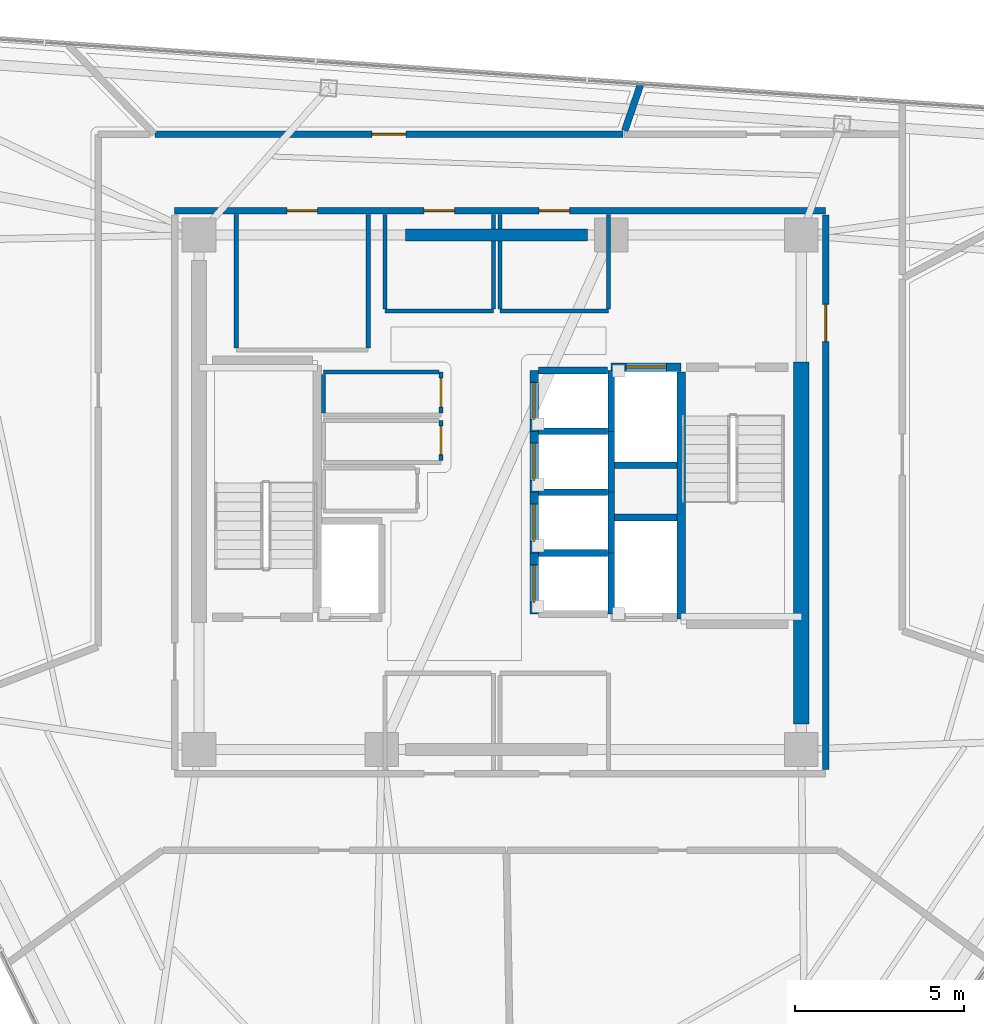
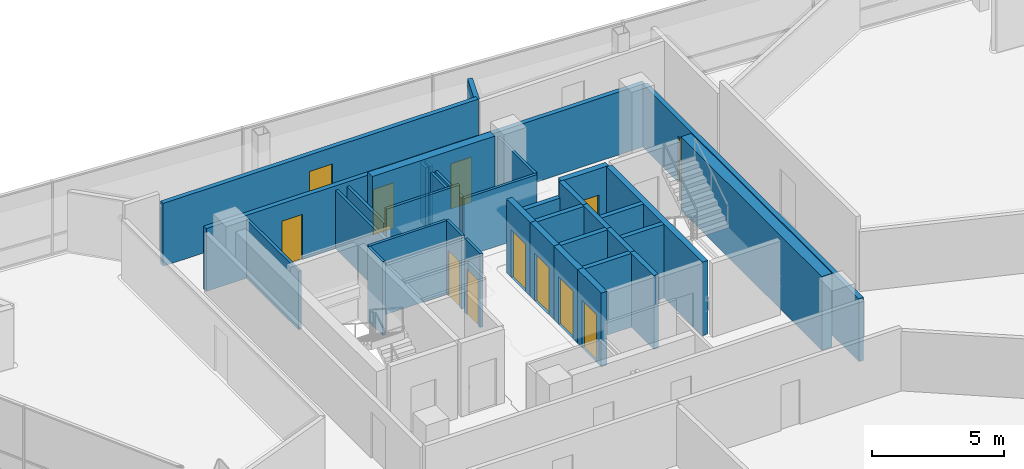
# One storey, part 10 of 14: 36 walls, 12 doors, 12 openings.
"""IFC4 building model written with IfcOpenShell, lengths in metres."""

from ifc_helpers import new_model, si_unit, direction, frame, frame_2d, origin, place, context, subcontext, project, spatial, rectangle, extrude, material, layer, layer_set, type_object, element, fill, save


model = new_model("IFC4")

# Units and contexts
model_context = context("Model", 3, precision=1e-05, world=origin(), true_north=direction((0.0, 1.0)))
body_context = subcontext(model_context, "Body", "Model", "MODEL_VIEW")
ifc_project = project(units=[si_unit("LENGTHUNIT", "METRE"), si_unit("AREAUNIT", "SQUARE_METRE"), si_unit("VOLUMEUNIT", "CUBIC_METRE"), si_unit("PLANEANGLEUNIT", "RADIAN"), si_unit("MASSUNIT", "GRAM", prefix="KILO")], contexts=[model_context])

# Site, building, storey
site_placement = place(None, origin())
site = spatial("IfcSite", under=ifc_project, at=site_placement, CompositionType="ELEMENT")
building_placement = place(site_placement, origin())
building = spatial("IfcBuilding", under=site, at=building_placement, Name="Tharavind Bronze Gate", CompositionType="ELEMENT")
storey_placement = place(building_placement, frame((0.0, 0.0, 241.449951171875)))
storey = spatial("IfcBuildingStorey", under=building, at=storey_placement, Name="L62", CompositionType="ELEMENT", Elevation=241.449951171875)

# Wall, openings, doors
ifc_material_1 = material(Name="Aerated Concrete Block", Category="concrete")
ifc_layer_1 = layer(ifc_material_1, 0.199951171875)
ifc_layer_set_1 = layer_set([ifc_layer_1], Name="Aerated Concrete Block")
wall_type_1 = type_object("IfcWallType", Name="FIRE RATED PARTITION 200", PredefinedType="PARTITIONING", material=ifc_layer_set_1)
wall_1_placement = place(storey_placement, frame((9.6201171875, 8.320068359375, 0.0), z_axis=(0.0, 0.0, 1.0), x_axis=(-1.0, 0.0, 0.0)))
wall_1 = element("IfcWall", 1, at=wall_1_placement, inside=storey, type_object=wall_type_1, Name="L62 north core corridor wall", PredefinedType="PARTITIONING", context=body_context, shape_type="SweptSolid", body=[
    extrude(rectangle(XDim=19.240234375, YDim=0.199951171875, at=frame_2d((9.6201171875, 0.0))), origin(), (0.0, 0.0, 1.0), 2.9150390625),
])
opening_1_placement = place(wall_1_placement, frame((10.969970703125, 0.0, 0.0)))
opening_1 = element("IfcOpeningElement", 2, at=opening_1_placement, cuts=wall_1, Name="Opening ID07", PredefinedType="OPENING", context=body_context, shape_type="SweptSolid", body=[
    extrude(rectangle(XDim=0.89990234375, YDim=2.10009765625, at=frame_2d((0.449951171875, 1.050048828125))), frame((0.0, 0.11009765625, 0.0), z_axis=(0.0, -1.0, 0.0), x_axis=(1.0, 0.0, 0.0)), (0.0, 0.0, 1.0), 0.219951171875),
])
opening_2_placement = place(wall_1_placement, frame((7.570068359375, 0.0, 0.0)))
opening_2 = element("IfcOpeningElement", 3, at=opening_2_placement, cuts=wall_1, Name="Opening ID07", PredefinedType="OPENING", context=body_context, shape_type="SweptSolid", body=[
    extrude(rectangle(XDim=0.89990234375, YDim=2.10009765625, at=frame_2d((0.449951171875, 1.050048828125))), frame((0.0, 0.11009765625, 0.0), z_axis=(0.0, -1.0, 0.0), x_axis=(1.0, 0.0, 0.0)), (0.0, 0.0, 1.0), 0.219951171875),
])
opening_3_placement = place(wall_1_placement, frame((15.02001953125, 0.0, 0.0)))
opening_3 = element("IfcOpeningElement", 4, at=opening_3_placement, cuts=wall_1, Name="Opening ID07", PredefinedType="OPENING", context=body_context, shape_type="SweptSolid", body=[
    extrude(rectangle(XDim=0.89990234375, YDim=2.10009765625, at=frame_2d((0.449951171875, 1.050048828125))), frame((0.0, 0.11009765625, 0.0), z_axis=(0.0, -1.0, 0.0), x_axis=(1.0, 0.0, 0.0)), (0.0, 0.0, 1.0), 0.219951171875),
])
ifc_material_2 = material(Name="Galvanised Fire Steel", Category="steel")
door_type_1 = type_object("IfcDoorType", Name="PLANT AND RISER FIRE DOOR 900X2100", OperationType="SINGLE_SWING_LEFT", PredefinedType="DOOR", material=ifc_material_2)
door_1_placement = place(opening_1_placement, frame((0.89990234375, 0.0, 0.0), z_axis=(0.0, 0.0, 1.0), x_axis=(-1.0, 0.0, 0.0)))
door_1 = element("IfcDoor", 5, at=door_1_placement, inside=storey, type_object=door_type_1, Name="L62 Core Telemetry Room fire door", OperationType="SINGLE_SWING_LEFT", OverallHeight=2.10009765625, OverallWidth=0.89990234375, PredefinedType="DOOR", context=body_context, shape_type="SweptSolid", body=[
    extrude(rectangle(XDim=0.89990234375, YDim=2.10009765625, at=frame_2d((0.449951171875, 1.050048828125))), frame((0.0, 0.02490234375, 0.0), z_axis=(0.0, -1.0, 0.0), x_axis=(1.0, 0.0, 0.0)), (0.0, 0.0, 1.0), 0.050048828125),
])
fill(opening_1, door_1)
door_2_placement = place(opening_2_placement, frame((0.89990234375, 0.0, 0.0), z_axis=(0.0, 0.0, 1.0), x_axis=(-1.0, 0.0, 0.0)))
door_2 = element("IfcDoor", 6, at=door_2_placement, inside=storey, type_object=door_type_1, Name="L62 Core Battery Room fire door", OperationType="SINGLE_SWING_LEFT", OverallHeight=2.10009765625, OverallWidth=0.89990234375, PredefinedType="DOOR", context=body_context, shape_type="SweptSolid", body=[
    extrude(rectangle(XDim=0.89990234375, YDim=2.10009765625, at=frame_2d((0.449951171875, 1.050048828125))), frame((0.0, 0.02490234375, 0.0), z_axis=(0.0, -1.0, 0.0), x_axis=(1.0, 0.0, 0.0)), (0.0, 0.0, 1.0), 0.050048828125),
])
fill(opening_2, door_2)
door_3_placement = place(opening_3_placement, frame((0.89990234375, 0.0, 0.0), z_axis=(0.0, 0.0, 1.0), x_axis=(-1.0, 0.0, 0.0)))
door_3 = element("IfcDoor", 7, at=door_3_placement, inside=storey, type_object=door_type_1, Name="L62 Electrical Switch Room fire door", OperationType="SINGLE_SWING_LEFT", OverallHeight=2.10009765625, OverallWidth=0.89990234375, PredefinedType="DOOR", context=body_context, shape_type="SweptSolid", body=[
    extrude(rectangle(XDim=0.89990234375, YDim=2.10009765625, at=frame_2d((0.449951171875, 1.050048828125))), frame((0.0, 0.02490234375, 0.0), z_axis=(0.0, -1.0, 0.0), x_axis=(1.0, 0.0, 0.0)), (0.0, 0.0, 1.0), 0.050048828125),
])
fill(opening_3, door_3)

# Wall, opening, door
wall_2_placement = place(storey_placement, frame((9.6201171875, -8.199951171875, 0.0), z_axis=(0.0, 0.0, 1.0), x_axis=(0.0, 1.0, 0.0)))
wall_2 = element("IfcWall", 8, at=wall_2_placement, inside=storey, type_object=wall_type_1, Name="L62 east core corridor wall", PredefinedType="PARTITIONING", context=body_context, shape_type="SweptSolid", body=[
    extrude(rectangle(XDim=16.39990234375, YDim=0.199951171875, at=frame_2d((8.199951171875, 0.0))), origin(), (0.0, 0.0, 1.0), 2.9150390625),
])
opening_4_placement = place(wall_2_placement, frame((12.64990234375, 0.0, 0.0)))
opening_4 = element("IfcOpeningElement", 9, at=opening_4_placement, cuts=wall_2, Name="Opening ID01", PredefinedType="OPENING", context=body_context, shape_type="SweptSolid", body=[
    extrude(rectangle(XDim=1.10009765625, YDim=2.14990234375, at=frame_2d((0.550048828125, 1.074951171875))), frame((0.0, 0.11009765625, 0.0), z_axis=(0.0, -1.0, 0.0), x_axis=(1.0, 0.0, 0.0)), (0.0, 0.0, 1.0), 0.219951171875),
])
ifc_material_3 = material(Name="Fire-Rated Steel", Category="steel")
door_type_2 = type_object("IfcDoorType", Name="STAIR CORE FIRE DOOR 1100X2150", OperationType="SINGLE_SWING_LEFT", PredefinedType="DOOR", material=ifc_material_3)
door_4_placement = place(opening_4_placement, frame((1.10009765625, 0.0, 0.0), z_axis=(0.0, 0.0, 1.0), x_axis=(-1.0, 0.0, 0.0)))
door_4 = element("IfcDoor", 10, at=door_4_placement, inside=storey, type_object=door_type_2, Name="L62 north east stair lobby fire door", OperationType="SINGLE_SWING_LEFT", OverallHeight=2.14990234375, OverallWidth=1.10009765625, PredefinedType="DOOR", context=body_context, shape_type="SweptSolid", body=[
    extrude(rectangle(XDim=1.10009765625, YDim=2.14990234375, at=frame_2d((0.550048828125, 1.074951171875))), frame((0.0, 0.02490234375, 0.0), z_axis=(0.0, -1.0, 0.0), x_axis=(1.0, 0.0, 0.0)), (0.0, 0.0, 1.0), 0.050048828125),
])
fill(opening_4, door_4)

# Wall
wall_3_placement = place(storey_placement, frame((3.67919921875, 10.68505859375, 0.0), z_axis=(0.0, 0.0, 1.0), x_axis=(0.325457735811, 0.945556588577, 0.0)))
element("IfcWall", 11, at=wall_3_placement, inside=storey, type_object=wall_type_1, Name="L62 Open Plan Law Chambers partition", PredefinedType="PARTITIONING", context=body_context, shape_type="SweptSolid", body=[
    extrude(rectangle(XDim=1.426025390625, YDim=0.199951171875, at=frame_2d((0.712890625, 0.0))), origin(), (0.0, 0.0, 1.0), 2.76513671875),
])

# Wall, opening, door
wall_4_placement = place(storey_placement, frame((3.625244140625, 10.580078125, 0.0), z_axis=(0.0, 0.0, 1.0), x_axis=(-1.0, 0.0, 0.0)))
wall_4 = element("IfcWall", 12, at=wall_4_placement, inside=storey, type_object=wall_type_1, Name="L62 Chambers Study A partition", PredefinedType="PARTITIONING", context=body_context, shape_type="SweptSolid", body=[
    extrude(rectangle(XDim=13.83154296875, YDim=0.199951171875, at=frame_2d((6.915771484375, 0.0))), origin(), (0.0, 0.0, 1.0), 2.9150390625),
])
opening_5_placement = place(wall_4_placement, frame((6.416015625, 0.0, 0.0)))
opening_5 = element("IfcOpeningElement", 13, at=opening_5_placement, cuts=wall_4, Name="Opening ID04", PredefinedType="OPENING", context=body_context, shape_type="SweptSolid", body=[
    extrude(rectangle(XDim=1.0, YDim=2.14990234375, at=frame_2d((0.5, 1.074951171875))), frame((0.0, 0.11009765625, 0.0), z_axis=(0.0, -1.0, 0.0), x_axis=(1.0, 0.0, 0.0)), (0.0, 0.0, 1.0), 0.219951171875),
])
ifc_material_4 = material(Name="Bronze Framed Acoustic Timber", Category="wood")
door_type_3 = type_object("IfcDoorType", Name="OFFICE TENANCY DOOR 1000X2150", OperationType="SINGLE_SWING_RIGHT", PredefinedType="DOOR", material=ifc_material_4)
door_5_placement = place(opening_5_placement, origin())
door_5 = element("IfcDoor", 14, at=door_5_placement, inside=storey, type_object=door_type_3, Name="L62 Chambers Study A door", OperationType="SINGLE_SWING_RIGHT", OverallHeight=2.14990234375, OverallWidth=1.0, PredefinedType="DOOR", context=body_context, shape_type="SweptSolid", body=[
    extrude(rectangle(XDim=1.0, YDim=2.14990234375, at=frame_2d((0.5, 1.074951171875))), frame((0.0, 0.02490234375, 0.0), z_axis=(0.0, -1.0, 0.0), x_axis=(1.0, 0.0, 0.0)), (0.0, 0.0, 1.0), 0.050048828125),
])
fill(opening_5, door_5)

ifc_material_5 = material(Name="Metal Stud Gypsum Partition", Category="gypsum")
ifc_layer_2 = layer(ifc_material_5, 0.1201171875)
ifc_layer_set_2 = layer_set([ifc_layer_2], Name="Metal Stud Gypsum Partition")
wall_type_2 = type_object("IfcWallType", Name="INTERIOR PARTITION WALL 120", PredefinedType="PARTITIONING", material=ifc_layer_set_2)
wall_5_placement = place(storey_placement, frame((-1.75, 2.344970703125, 0.0), z_axis=(0.0, 0.0, 1.0), x_axis=(0.0, 1.0, 0.0)))
wall_5 = element("IfcWall", 15, at=wall_5_placement, inside=storey, type_object=wall_type_2, Name="L62 Housekeeping Linen Store partition 2", PredefinedType="PARTITIONING", context=body_context, shape_type="SweptSolid", body=[
    extrude(rectangle(XDim=1.205078125, YDim=0.1201171875, at=frame_2d((0.6025390625, 0.0))), origin(), (0.0, 0.0, 1.0), 3.420166015625),
])
opening_6_placement = place(wall_5_placement, frame((0.177001953125, 0.0, 0.0)))
opening_6 = element("IfcOpeningElement", 16, at=opening_6_placement, cuts=wall_5, Name="Opening ID06", PredefinedType="OPENING", context=body_context, shape_type="SweptSolid", body=[
    extrude(rectangle(XDim=0.85009765625, YDim=2.10009765625, at=frame_2d((0.425048828125, 1.050048828125))), frame((0.0, 0.07005859375, 0.0), z_axis=(0.0, -1.0, 0.0), x_axis=(1.0, 0.0, 0.0)), (0.0, 0.0, 1.0), 0.1401171875),
])
ifc_material_6 = material(Name="Moisture-Resistant Timber", Category="wood")
door_type_4 = type_object("IfcDoorType", Name="BATHROOM PRIVACY DOOR 850X2100", OperationType="SINGLE_SWING_RIGHT", PredefinedType="DOOR", material=ifc_material_6)
door_6_placement = place(opening_6_placement, frame((0.85009765625, 0.0, 0.0), z_axis=(0.0, 0.0, 1.0), x_axis=(-1.0, 0.0, 0.0)))
door_6 = element("IfcDoor", 17, at=door_6_placement, inside=storey, type_object=door_type_4, Name="L62 Housekeeping Linen Store door", OperationType="SINGLE_SWING_RIGHT", OverallHeight=2.10009765625, OverallWidth=0.85009765625, PredefinedType="DOOR", context=body_context, shape_type="SweptSolid", body=[
    extrude(rectangle(XDim=0.85009765625, YDim=2.10009765625, at=frame_2d((0.425048828125, 1.050048828125))), frame((0.0, 0.02490234375, 0.0), z_axis=(0.0, -1.0, 0.0), x_axis=(1.0, 0.0, 0.0)), (0.0, 0.0, 1.0), 0.050048828125),
])
fill(opening_6, door_6)

# Walls
wall_6_placement = place(storey_placement, frame((-1.81494140625, 3.550048828125, 0.0), z_axis=(0.0, 0.0, 1.0), x_axis=(-1.0, 0.0, 0.0)))
element("IfcWall", 18, at=wall_6_placement, inside=storey, type_object=wall_type_2, Name="L62 Housekeeping Linen Store partition 3", PredefinedType="PARTITIONING", context=body_context, shape_type="SweptSolid", body=[
    extrude(rectangle(XDim=3.405029296875, YDim=0.1201171875, at=frame_2d((1.70263671875, 0.0))), origin(), (0.0, 0.0, 1.0), 3.420166015625),
])
wall_7_placement = place(storey_placement, frame((-5.219970703125, 3.485107421875, 0.0), z_axis=(0.0, 0.0, 1.0), x_axis=(0.0, -1.0, 0.0)))
element("IfcWall", 19, at=wall_7_placement, inside=storey, type_object=wall_type_2, Name="L62 Housekeeping Linen Store partition 4", PredefinedType="PARTITIONING", context=body_context, shape_type="SweptSolid", body=[
    extrude(rectangle(XDim=1.14013671875, YDim=0.1201171875, at=frame_2d((0.570068359375, 0.0))), origin(), (0.0, 0.0, 1.0), 3.420166015625),
])

# Wall, opening, door
wall_8_placement = place(storey_placement, frame((-1.75, 0.945068359375, 0.0), z_axis=(0.0, 0.0, 1.0), x_axis=(0.0, 1.0, 0.0)))
wall_8 = element("IfcWall", 20, at=wall_8_placement, inside=storey, type_object=wall_type_2, Name="L62 Comms Data Room partition 2", PredefinedType="PARTITIONING", context=body_context, shape_type="SweptSolid", body=[
    extrude(rectangle(XDim=1.175048828125, YDim=0.1201171875, at=frame_2d((0.58740234375, 0.0))), origin(), (0.0, 0.0, 1.0), 3.420166015625),
])
opening_7_placement = place(wall_8_placement, frame((0.1630859375, 0.0, 0.0)))
opening_7 = element("IfcOpeningElement", 21, at=opening_7_placement, cuts=wall_8, Name="Opening ID06", PredefinedType="OPENING", context=body_context, shape_type="SweptSolid", body=[
    extrude(rectangle(XDim=0.85009765625, YDim=2.10009765625, at=frame_2d((0.425048828125, 1.050048828125))), frame((0.0, 0.07005859375, 0.0), z_axis=(0.0, -1.0, 0.0), x_axis=(1.0, 0.0, 0.0)), (0.0, 0.0, 1.0), 0.1401171875),
])
door_7_placement = place(opening_7_placement, frame((0.85009765625, 0.0, 0.0), z_axis=(0.0, 0.0, 1.0), x_axis=(-1.0, 0.0, 0.0)))
door_7 = element("IfcDoor", 22, at=door_7_placement, inside=storey, type_object=door_type_4, Name="L62 Comms Data Room door", OperationType="SINGLE_SWING_RIGHT", OverallHeight=2.10009765625, OverallWidth=0.85009765625, PredefinedType="DOOR", context=body_context, shape_type="SweptSolid", body=[
    extrude(rectangle(XDim=0.85009765625, YDim=2.10009765625, at=frame_2d((0.425048828125, 1.050048828125))), frame((0.0, 0.02490234375, 0.0), z_axis=(0.0, -1.0, 0.0), x_axis=(1.0, 0.0, 0.0)), (0.0, 0.0, 1.0), 0.050048828125),
])
fill(opening_7, door_7)

# Walls
wall_9_placement = place(storey_placement, frame((-3.39990234375, 5.35009765625, 0.0), z_axis=(0.0, 0.0, 1.0), x_axis=(1.0, 0.0, 0.0)))
element("IfcWall", 23, at=wall_9_placement, inside=storey, type_object=wall_type_2, Name="L62 Core Telemetry Room partition 1", PredefinedType="PARTITIONING", context=body_context, shape_type="SweptSolid", body=[
    extrude(rectangle(XDim=3.199951171875, YDim=0.1201171875, at=frame_2d((1.60009765625, 0.0))), origin(), (0.0, 0.0, 1.0), 3.420166015625),
])
wall_10_placement = place(storey_placement, frame((-0.199951171875, 5.4150390625, 0.0), z_axis=(0.0, 0.0, 1.0), x_axis=(0.0, 1.0, 0.0)))
element("IfcWall", 24, at=wall_10_placement, inside=storey, type_object=wall_type_2, Name="L62 Core Telemetry Room partition 2", PredefinedType="PARTITIONING", context=body_context, shape_type="SweptSolid", body=[
    extrude(rectangle(XDim=2.0048828125, YDim=0.1201171875, at=frame_2d((1.00244140625, 0.0))), origin(), (0.0, 0.0, 1.0), 2.715087890625),
])
wall_11_placement = place(storey_placement, frame((-0.199951171875, 7.780029296875, 0.0), z_axis=(0.0, 0.0, 1.0), x_axis=(0.0, 1.0, 0.0)))
element("IfcWall", 25, at=wall_11_placement, inside=storey, type_object=wall_type_2, Name="L62 Core Telemetry Room partition 2", PredefinedType="PARTITIONING", context=body_context, shape_type="SweptSolid", body=[
    extrude(rectangle(XDim=0.43505859375, YDim=0.1201171875, at=frame_2d((0.217529296875, 0.0))), origin(), (0.0, 0.0, 1.0), 2.715087890625),
])
wall_12_placement = place(storey_placement, frame((-3.39990234375, 8.215087890625, 0.0), z_axis=(0.0, 0.0, 1.0), x_axis=(0.0, -1.0, 0.0)))
element("IfcWall", 26, at=wall_12_placement, inside=storey, type_object=wall_type_2, Name="L62 Core Telemetry Room partition 4", PredefinedType="PARTITIONING", context=body_context, shape_type="SweptSolid", body=[
    extrude(rectangle(XDim=2.800048828125, YDim=0.1201171875, at=frame_2d((1.39990234375, 0.0))), origin(), (0.0, 0.0, 1.0), 2.715087890625),
])
wall_13_placement = place(storey_placement, frame((0.0, 5.35009765625, 0.0), z_axis=(0.0, 0.0, 1.0), x_axis=(1.0, 0.0, 0.0)))
element("IfcWall", 27, at=wall_13_placement, inside=storey, type_object=wall_type_2, Name="L62 Core Battery Room partition 1", PredefinedType="PARTITIONING", context=body_context, shape_type="SweptSolid", body=[
    extrude(rectangle(XDim=3.199951171875, YDim=0.1201171875, at=frame_2d((1.60009765625, 0.0))), origin(), (0.0, 0.0, 1.0), 2.715087890625),
])
wall_14_placement = place(storey_placement, frame((3.199951171875, 5.4150390625, 0.0), z_axis=(0.0, 0.0, 1.0), x_axis=(0.0, 1.0, 0.0)))
element("IfcWall", 28, at=wall_14_placement, inside=storey, type_object=wall_type_2, Name="L62 Core Battery Room partition 2", PredefinedType="PARTITIONING", context=body_context, shape_type="SweptSolid", body=[
    extrude(rectangle(XDim=2.800048828125, YDim=0.1201171875, at=frame_2d((1.39990234375, 0.0))), origin(), (0.0, 0.0, 1.0), 2.715087890625),
])
wall_15_placement = place(storey_placement, frame((0.0, 8.215087890625, 0.0), z_axis=(0.0, 0.0, 1.0), x_axis=(0.0, -1.0, 0.0)))
element("IfcWall", 29, at=wall_15_placement, inside=storey, type_object=wall_type_2, Name="L62 Core Battery Room partition 4", PredefinedType="PARTITIONING", context=body_context, shape_type="SweptSolid", body=[
    extrude(rectangle(XDim=0.43505859375, YDim=0.1201171875, at=frame_2d((0.217529296875, 0.0))), origin(), (0.0, 0.0, 1.0), 2.715087890625),
])
wall_16_placement = place(storey_placement, frame((0.0, 7.419921875, 0.0), z_axis=(0.0, 0.0, 1.0), x_axis=(0.0, -1.0, 0.0)))
element("IfcWall", 30, at=wall_16_placement, inside=storey, type_object=wall_type_2, Name="L62 Core Battery Room partition 4", PredefinedType="PARTITIONING", context=body_context, shape_type="SweptSolid", body=[
    extrude(rectangle(XDim=2.0048828125, YDim=0.1201171875, at=frame_2d((1.00244140625, 0.0))), origin(), (0.0, 0.0, 1.0), 2.715087890625),
])
for number, where, z_axis, x_axis, name in (
    (31, (-3.89990234375, 4.264892578125, 0.0), (0.0, 0.0, 1.0), (0.0, 1.0, 0.0), "L62 Electrical Switch Room partition 2"),
    (32, (-7.800048828125, 8.215087890625, 0.0), (0.0, 0.0, 1.0), (0.0, -1.0, 0.0), "L62 Electrical Switch Room partition 4"),
):
    element("IfcWall", number, at=place(storey_placement, frame(where, z_axis=z_axis, x_axis=x_axis)), inside=storey, type_object=wall_type_2, Name=name, PredefinedType="PARTITIONING", context=body_context, shape_type="SweptSolid", body=[
        extrude(rectangle(XDim=3.9501953125, YDim=0.1201171875, at=frame_2d((1.97509765625, 0.0))), origin(), (0.0, 0.0, 1.0), 2.715087890625),
    ])
ifc_material_7 = material(Name="Concrete C50/60", Category="concrete")
ifc_layer_3 = layer(ifc_material_7, 0.25)
ifc_layer_set_3 = layer_set([ifc_layer_3], Name="Concrete C50/60")
wall_type_3 = type_object("IfcWallType", Name="RC CORE SHEAR WALL 250", PredefinedType="SHEAR", material=ifc_layer_set_3)
wall_17_placement = place(storey_placement, frame((5.35009765625, -3.75, 0.0), z_axis=(0.0, 0.0, 1.0), x_axis=(0.0, 1.0, 0.0)))
element("IfcWall", 33, at=wall_17_placement, inside=storey, type_object=wall_type_3, Name="L62 ST2 shaft west wall", PredefinedType="SHEAR", context=body_context, shape_type="SweptSolid", body=[
    extrude(rectangle(XDim=7.300048828125, YDim=0.25, at=frame_2d((3.64990234375, 0.0))), origin(), (0.0, 0.0, 1.0), 3.420166015625),
])

# Wall, opening, door
wall_18_placement = place(storey_placement, frame((1.0, -3.60009765625, 0.0), z_axis=(0.0, 0.0, 1.0), x_axis=(0.0, 1.0, 0.0)))
wall_18 = element("IfcWall", 34, at=wall_18_placement, inside=storey, type_object=wall_type_3, Name="L62 lift PL9 shaft front wall", PredefinedType="SHEAR", context=body_context, shape_type="SweptSolid", body=[
    extrude(rectangle(XDim=1.800048828125, YDim=0.25, at=frame_2d((0.89990234375, 0.0))), origin(), (0.0, 0.0, 1.0), 3.420166015625),
])
opening_8_placement = place(wall_18_placement, frame((0.35009765625, 0.0, 0.0)))
opening_8 = element("IfcOpeningElement", 35, at=opening_8_placement, cuts=wall_18, Name="Opening LD01", PredefinedType="OPENING", context=body_context, shape_type="SweptSolid", body=[
    extrude(rectangle(XDim=1.10009765625, YDim=2.199951171875, at=frame_2d((0.550048828125, 1.10009765625))), frame((0.0, 0.135, 0.0), z_axis=(0.0, -1.0, 0.0), x_axis=(1.0, 0.0, 0.0)), (0.0, 0.0, 1.0), 0.27),
])
ifc_material_8 = material(Name="Brushed Bronze Stainless Steel", Category="steel")
door_type_5 = type_object("IfcDoorType", Name="LIFT LANDING SLIDING DOOR 1100X2200", OperationType="SLIDING_TO_LEFT", PredefinedType="DOOR", material=ifc_material_8)
door_8_placement = place(opening_8_placement, origin())
door_8 = element("IfcDoor", 36, at=door_8_placement, inside=storey, type_object=door_type_5, Name="L62 lift PL9 sliding landing door", OperationType="SLIDING_TO_LEFT", OverallHeight=2.199951171875, OverallWidth=1.10009765625, PredefinedType="DOOR", context=body_context, shape_type="SweptSolid", body=[
    extrude(rectangle(XDim=1.10009765625, YDim=2.199951171875, at=frame_2d((0.550048828125, 1.10009765625))), frame((0.0, 0.02490234375, 0.0), z_axis=(0.0, -1.0, 0.0), x_axis=(1.0, 0.0, 0.0)), (0.0, 0.0, 1.0), 0.050048828125),
])
fill(opening_8, door_8)

wall_19_placement = place(storey_placement, frame((1.0, -1.800048828125, 0.0), z_axis=(0.0, 0.0, 1.0), x_axis=(0.0, 1.0, 0.0)))
wall_19 = element("IfcWall", 37, at=wall_19_placement, inside=storey, type_object=wall_type_3, Name="L62 lift PL10 shaft front wall", PredefinedType="SHEAR", context=body_context, shape_type="SweptSolid", body=[
    extrude(rectangle(XDim=1.800048828125, YDim=0.25, at=frame_2d((0.89990234375, 0.0))), origin(), (0.0, 0.0, 1.0), 3.420166015625),
])
opening_9_placement = place(wall_19_placement, frame((0.35009765625, 0.0, 0.0)))
opening_9 = element("IfcOpeningElement", 38, at=opening_9_placement, cuts=wall_19, Name="Opening LD01", PredefinedType="OPENING", context=body_context, shape_type="SweptSolid", body=[
    extrude(rectangle(XDim=1.10009765625, YDim=2.199951171875, at=frame_2d((0.550048828125, 1.10009765625))), frame((0.0, 0.135, 0.0), z_axis=(0.0, -1.0, 0.0), x_axis=(1.0, 0.0, 0.0)), (0.0, 0.0, 1.0), 0.27),
])
door_9_placement = place(opening_9_placement, origin())
door_9 = element("IfcDoor", 39, at=door_9_placement, inside=storey, type_object=door_type_5, Name="L62 lift PL10 sliding landing door", OperationType="SLIDING_TO_LEFT", OverallHeight=2.199951171875, OverallWidth=1.10009765625, PredefinedType="DOOR", context=body_context, shape_type="SweptSolid", body=[
    extrude(rectangle(XDim=1.10009765625, YDim=2.199951171875, at=frame_2d((0.550048828125, 1.10009765625))), frame((0.0, 0.02490234375, 0.0), z_axis=(0.0, -1.0, 0.0), x_axis=(1.0, 0.0, 0.0)), (0.0, 0.0, 1.0), 0.050048828125),
])
fill(opening_9, door_9)

wall_20_placement = place(storey_placement, frame((1.0, 0.0, 0.0), z_axis=(0.0, 0.0, 1.0), x_axis=(0.0, 1.0, 0.0)))
wall_20 = element("IfcWall", 40, at=wall_20_placement, inside=storey, type_object=wall_type_3, Name="L62 lift PL11 shaft front wall", PredefinedType="SHEAR", context=body_context, shape_type="SweptSolid", body=[
    extrude(rectangle(XDim=1.800048828125, YDim=0.25, at=frame_2d((0.89990234375, 0.0))), origin(), (0.0, 0.0, 1.0), 3.420166015625),
])
opening_10_placement = place(wall_20_placement, frame((0.35009765625, 0.0, 0.0)))
opening_10 = element("IfcOpeningElement", 41, at=opening_10_placement, cuts=wall_20, Name="Opening LD01", PredefinedType="OPENING", context=body_context, shape_type="SweptSolid", body=[
    extrude(rectangle(XDim=1.10009765625, YDim=2.199951171875, at=frame_2d((0.550048828125, 1.10009765625))), frame((0.0, 0.135, 0.0), z_axis=(0.0, -1.0, 0.0), x_axis=(1.0, 0.0, 0.0)), (0.0, 0.0, 1.0), 0.27),
])
door_10_placement = place(opening_10_placement, origin())
door_10 = element("IfcDoor", 42, at=door_10_placement, inside=storey, type_object=door_type_5, Name="L62 lift PL11 sliding landing door", OperationType="SLIDING_TO_LEFT", OverallHeight=2.199951171875, OverallWidth=1.10009765625, PredefinedType="DOOR", context=body_context, shape_type="SweptSolid", body=[
    extrude(rectangle(XDim=1.10009765625, YDim=2.199951171875, at=frame_2d((0.550048828125, 1.10009765625))), frame((0.0, 0.02490234375, 0.0), z_axis=(0.0, -1.0, 0.0), x_axis=(1.0, 0.0, 0.0)), (0.0, 0.0, 1.0), 0.050048828125),
])
fill(opening_10, door_10)

wall_21_placement = place(storey_placement, frame((1.0, 1.800048828125, 0.0), z_axis=(0.0, 0.0, 1.0), x_axis=(0.0, 1.0, 0.0)))
wall_21 = element("IfcWall", 43, at=wall_21_placement, inside=storey, type_object=wall_type_3, Name="L62 lift PL12 shaft front wall", PredefinedType="SHEAR", context=body_context, shape_type="SweptSolid", body=[
    extrude(rectangle(XDim=1.800048828125, YDim=0.25, at=frame_2d((0.89990234375, 0.0))), origin(), (0.0, 0.0, 1.0), 3.420166015625),
])
opening_11_placement = place(wall_21_placement, frame((0.35009765625, 0.0, 0.0)))
opening_11 = element("IfcOpeningElement", 44, at=opening_11_placement, cuts=wall_21, Name="Opening LD01", PredefinedType="OPENING", context=body_context, shape_type="SweptSolid", body=[
    extrude(rectangle(XDim=1.10009765625, YDim=2.199951171875, at=frame_2d((0.550048828125, 1.10009765625))), frame((0.0, 0.135, 0.0), z_axis=(0.0, -1.0, 0.0), x_axis=(1.0, 0.0, 0.0)), (0.0, 0.0, 1.0), 0.27),
])
door_11_placement = place(opening_11_placement, origin())
door_11 = element("IfcDoor", 45, at=door_11_placement, inside=storey, type_object=door_type_5, Name="L62 lift PL12 sliding landing door", OperationType="SLIDING_TO_LEFT", OverallHeight=2.199951171875, OverallWidth=1.10009765625, PredefinedType="DOOR", context=body_context, shape_type="SweptSolid", body=[
    extrude(rectangle(XDim=1.10009765625, YDim=2.199951171875, at=frame_2d((0.550048828125, 1.10009765625))), frame((0.0, 0.02490234375, 0.0), z_axis=(0.0, -1.0, 0.0), x_axis=(1.0, 0.0, 0.0)), (0.0, 0.0, 1.0), 0.050048828125),
])
fill(opening_11, door_11)

wall_22_placement = place(storey_placement, frame((3.280029296875, 3.699951171875, 0.0), z_axis=(0.0, 0.0, 1.0), x_axis=(1.0, 0.0, 0.0)))
wall_22 = element("IfcWall", 46, at=wall_22_placement, inside=storey, type_object=wall_type_3, Name="L62 lift FFL2 shaft front wall", PredefinedType="SHEAR", context=body_context, shape_type="SweptSolid", body=[
    extrude(rectangle(XDim=2.070068359375, YDim=0.25, at=frame_2d((1.03515625, 0.0))), origin(), (0.0, 0.0, 1.0), 3.420166015625),
])
opening_12_placement = place(wall_22_placement, frame((0.43505859375, 0.0, 0.0)))
opening_12 = element("IfcOpeningElement", 47, at=opening_12_placement, cuts=wall_22, Name="Opening LD02", PredefinedType="OPENING", context=body_context, shape_type="SweptSolid", body=[
    extrude(rectangle(XDim=1.199951171875, YDim=2.199951171875, at=frame_2d((0.60009765625, 1.10009765625))), frame((0.0, 0.135, 0.0), z_axis=(0.0, -1.0, 0.0), x_axis=(1.0, 0.0, 0.0)), (0.0, 0.0, 1.0), 0.27),
])
ifc_material_9 = material(Name="Brushed Stainless Steel", Category="steel")
door_type_6 = type_object("IfcDoorType", Name="FIREFIGHTING LIFT LANDING DOOR 1200X2200", OperationType="SLIDING_TO_RIGHT", PredefinedType="DOOR", material=ifc_material_9)
door_12_placement = place(opening_12_placement, origin())
door_12 = element("IfcDoor", 48, at=door_12_placement, inside=storey, type_object=door_type_6, Name="L62 lift FFL2 sliding landing door", OperationType="SLIDING_TO_RIGHT", OverallHeight=2.199951171875, OverallWidth=1.199951171875, PredefinedType="DOOR", context=body_context, shape_type="SweptSolid", body=[
    extrude(rectangle(XDim=1.199951171875, YDim=2.199951171875, at=frame_2d((0.60009765625, 1.10009765625))), frame((0.0, 0.02490234375, 0.0), z_axis=(0.0, -1.0, 0.0), x_axis=(1.0, 0.0, 0.0)), (0.0, 0.0, 1.0), 0.050048828125),
])
fill(opening_12, door_12)

# Walls
ifc_layer_4 = layer(ifc_material_7, 0.35009765625)
ifc_layer_set_4 = layer_set([ifc_layer_4], Name="Concrete C50/60")
wall_type_4 = type_object("IfcWallType", Name="RC CORE SHEAR WALL 350", PredefinedType="SHEAR", material=ifc_layer_set_4)
wall_23_placement = place(storey_placement, frame((-2.800048828125, 7.60009765625, 0.0), z_axis=(0.0, 0.0, 1.0), x_axis=(1.0, 0.0, 0.0)))
element("IfcWall", 49, at=wall_23_placement, inside=storey, type_object=wall_type_4, Name="L62 north core shear wall", PredefinedType="SHEAR", context=body_context, shape_type="SweptSolid", body=[
    extrude(rectangle(XDim=5.380126953125, YDim=0.35009765625, at=frame_2d((2.68994140625, 0.0))), origin(), (0.0, 0.0, 1.0), 3.420166015625),
])
ifc_material_10 = material(Name="Concrete C60/75", Category="concrete")
ifc_layer_5 = layer(ifc_material_10, 0.449951171875)
ifc_layer_set_5 = layer_set([ifc_layer_5], Name="Concrete C60/75")
wall_type_5 = type_object("IfcWallType", Name="RC CORE SHEAR WALL 450", PredefinedType="SHEAR", material=ifc_layer_set_5)
wall_24_placement = place(storey_placement, frame((8.89990234375, -6.85009765625, 0.0), z_axis=(0.0, 0.0, 1.0), x_axis=(0.0, 1.0, 0.0)))
element("IfcWall", 50, at=wall_24_placement, inside=storey, type_object=wall_type_5, Name="L62 east core shear wall", PredefinedType="SHEAR", context=body_context, shape_type="SweptSolid", body=[
    extrude(rectangle(XDim=10.7001953125, YDim=0.449951171875, at=frame_2d((5.35009765625, 0.0))), origin(), (0.0, 0.0, 1.0), 3.420166015625),
])
ifc_material_11 = material(Name="Concrete C40/50", Category="concrete")
ifc_layer_6 = layer(ifc_material_11, 0.199951171875)
ifc_layer_set_6 = layer_set([ifc_layer_6], Name="Concrete C40/50")
wall_type_6 = type_object("IfcWallType", Name="SHAFT ENCLOSURE WALL 200", PredefinedType="PARTITIONING", material=ifc_layer_set_6)
wall_25_placement = place(storey_placement, frame((3.280029296875, -3.60009765625, 0.0), z_axis=(0.0, 0.0, 1.0), x_axis=(0.0, 1.0, 0.0)))
element("IfcWall", 51, at=wall_25_placement, inside=storey, type_object=wall_type_6, Name="L62 lift PL9 shaft E enclosure wall", PredefinedType="PARTITIONING", context=body_context, shape_type="SweptSolid", body=[
    extrude(rectangle(XDim=1.800048828125, YDim=0.199951171875, at=frame_2d((0.89990234375, 0.0))), origin(), (0.0, 0.0, 1.0), 3.420166015625),
])
wall_26_placement = place(storey_placement, frame((1.1298828125, -1.800048828125, 0.0), z_axis=(0.0, 0.0, 1.0), x_axis=(1.0, 0.0, 0.0)))
element("IfcWall", 52, at=wall_26_placement, inside=storey, type_object=wall_type_6, Name="L62 lift PL9 shaft N enclosure wall", PredefinedType="PARTITIONING", context=body_context, shape_type="SweptSolid", body=[
    extrude(rectangle(XDim=2.045166015625, YDim=0.199951171875, at=frame_2d((1.0224609375, 0.0))), origin(), (0.0, 0.0, 1.0), 3.420166015625),
])
wall_27_placement = place(storey_placement, frame((3.280029296875, -1.800048828125, 0.0), z_axis=(0.0, 0.0, 1.0), x_axis=(0.0, 1.0, 0.0)))
element("IfcWall", 53, at=wall_27_placement, inside=storey, type_object=wall_type_6, Name="L62 lift PL10 shaft E enclosure wall", PredefinedType="PARTITIONING", context=body_context, shape_type="SweptSolid", body=[
    extrude(rectangle(XDim=1.800048828125, YDim=0.199951171875, at=frame_2d((0.89990234375, 0.0))), origin(), (0.0, 0.0, 1.0), 3.420166015625),
])
wall_28_placement = place(storey_placement, frame((1.1298828125, 0.0, 0.0), z_axis=(0.0, 0.0, 1.0), x_axis=(1.0, 0.0, 0.0)))
element("IfcWall", 54, at=wall_28_placement, inside=storey, type_object=wall_type_6, Name="L62 lift PL10 shaft N enclosure wall", PredefinedType="PARTITIONING", context=body_context, shape_type="SweptSolid", body=[
    extrude(rectangle(XDim=2.045166015625, YDim=0.199951171875, at=frame_2d((1.0224609375, 0.0))), origin(), (0.0, 0.0, 1.0), 3.420166015625),
])
wall_29_placement = place(storey_placement, frame((3.280029296875, 0.0, 0.0), z_axis=(0.0, 0.0, 1.0), x_axis=(0.0, 1.0, 0.0)))
element("IfcWall", 55, at=wall_29_placement, inside=storey, type_object=wall_type_6, Name="L62 lift PL11 shaft E enclosure wall", PredefinedType="PARTITIONING", context=body_context, shape_type="SweptSolid", body=[
    extrude(rectangle(XDim=1.800048828125, YDim=0.199951171875, at=frame_2d((0.89990234375, 0.0))), origin(), (0.0, 0.0, 1.0), 3.420166015625),
])
wall_30_placement = place(storey_placement, frame((1.1298828125, 1.800048828125, 0.0), z_axis=(0.0, 0.0, 1.0), x_axis=(1.0, 0.0, 0.0)))
element("IfcWall", 56, at=wall_30_placement, inside=storey, type_object=wall_type_6, Name="L62 lift PL11 shaft N enclosure wall", PredefinedType="PARTITIONING", context=body_context, shape_type="SweptSolid", body=[
    extrude(rectangle(XDim=2.045166015625, YDim=0.199951171875, at=frame_2d((1.0224609375, 0.0))), origin(), (0.0, 0.0, 1.0), 3.420166015625),
])
wall_31_placement = place(storey_placement, frame((3.280029296875, 1.800048828125, 0.0), z_axis=(0.0, 0.0, 1.0), x_axis=(0.0, 1.0, 0.0)))
element("IfcWall", 57, at=wall_31_placement, inside=storey, type_object=wall_type_6, Name="L62 lift PL12 shaft E enclosure wall", PredefinedType="PARTITIONING", context=body_context, shape_type="SweptSolid", body=[
    extrude(rectangle(XDim=1.800048828125, YDim=0.199951171875, at=frame_2d((0.89990234375, 0.0))), origin(), (0.0, 0.0, 1.0), 3.420166015625),
])
wall_32_placement = place(storey_placement, frame((1.1298828125, 3.60009765625, 0.0), z_axis=(0.0, 0.0, 1.0), x_axis=(1.0, 0.0, 0.0)))
element("IfcWall", 58, at=wall_32_placement, inside=storey, type_object=wall_type_6, Name="L62 lift PL12 shaft N enclosure wall", PredefinedType="PARTITIONING", context=body_context, shape_type="SweptSolid", body=[
    extrude(rectangle(XDim=2.045166015625, YDim=0.199951171875, at=frame_2d((1.0224609375, 0.0))), origin(), (0.0, 0.0, 1.0), 2.715087890625),
])
for number, where, z_axis, x_axis, name in (
    (59, (3.385009765625, 0.800048828125, 0.0), (0.0, 0.0, 1.0), (1.0, 0.0, 0.0), "L62 lift FFL2 shaft S enclosure wall"),
    (60, (3.385009765625, -0.75, 0.0), (0.0, 0.0, 1.0), (1.0, 0.0, 0.0), "L62 lift SVL1 shaft N enclosure wall"),
):
    element("IfcWall", number, at=place(storey_placement, frame(where, z_axis=z_axis, x_axis=x_axis)), inside=storey, type_object=wall_type_6, Name=name, PredefinedType="PARTITIONING", context=body_context, shape_type="SweptSolid", body=[
        extrude(rectangle(XDim=1.8349609375, YDim=0.199951171875, at=frame_2d((0.91748046875, 0.0))), origin(), (0.0, 0.0, 1.0), 3.420166015625),
    ])

save(model, "model.ifc")
